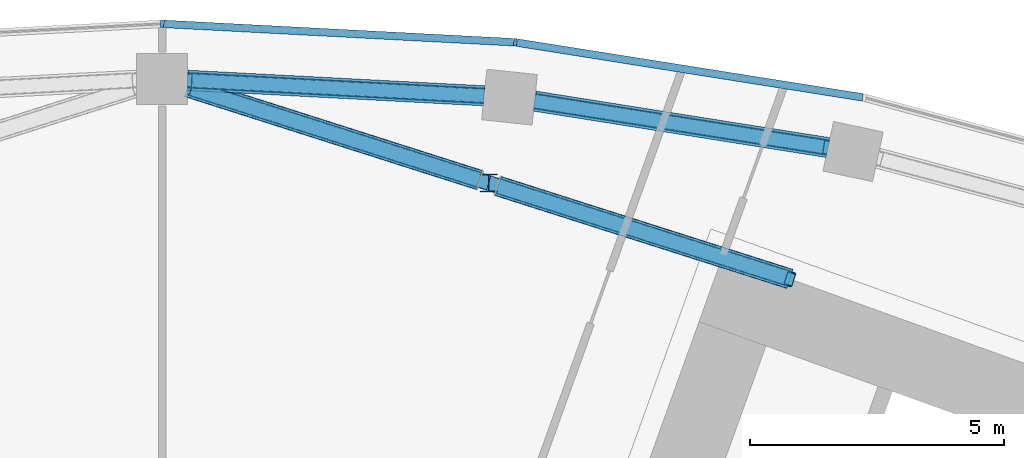
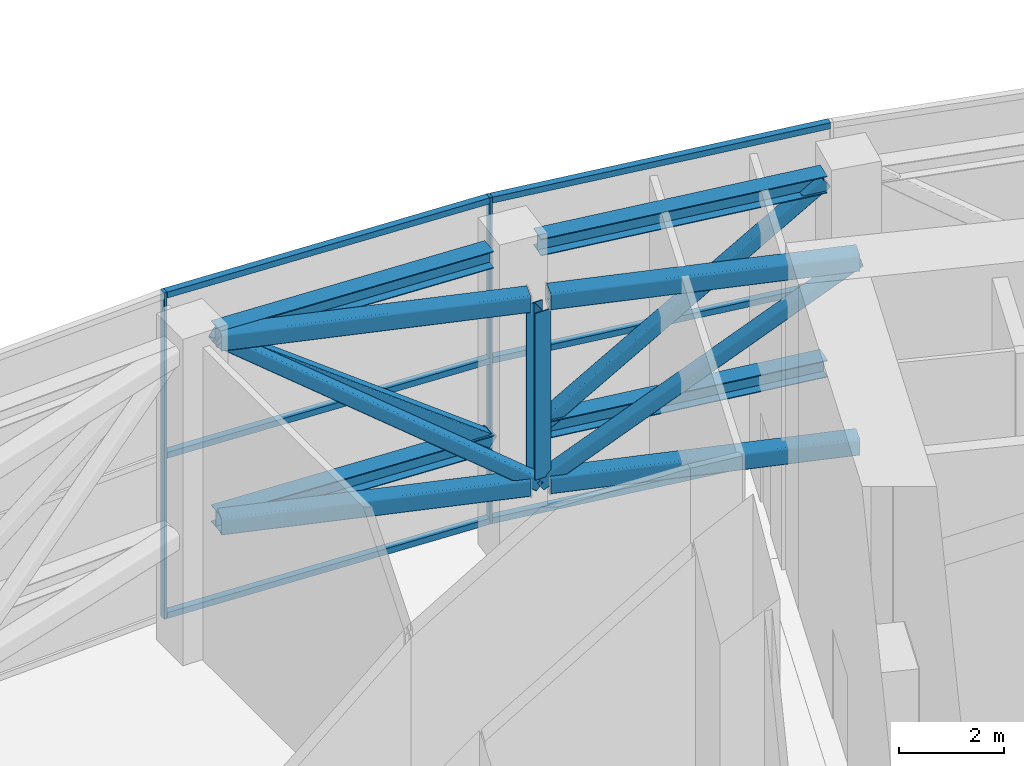
# One storey, part 8 of 32: 21 members, 1 element without a shape of its own.
"""IFC4 building model written with IfcOpenShell, lengths in metres."""

from ifc_helpers import new_model, si_unit, direction, frame, origin, origin_2d, place, context, subcontext, project, spatial, rectangle, hollow_rectangle, i_section, extrude, material, layer, layer_set, material_profile, profile_set, type_object, element, aggregate, save


model = new_model("IFC4")

# Units and contexts
model_context = context("Model", 3, precision=1e-05, world=origin(), true_north=direction((0.0, 1.0)))
body_context = subcontext(model_context, "Body", "Model", "MODEL_VIEW")
ifc_project = project(units=[si_unit("LENGTHUNIT", "METRE"), si_unit("AREAUNIT", "SQUARE_METRE"), si_unit("VOLUMEUNIT", "CUBIC_METRE"), si_unit("PLANEANGLEUNIT", "RADIAN"), si_unit("MASSUNIT", "GRAM", prefix="KILO")], contexts=[model_context])

# Site, building, storey
site_placement = place(None, origin())
site = spatial("IfcSite", under=ifc_project, at=site_placement, CompositionType="ELEMENT")
building_placement = place(site_placement, origin())
building = spatial("IfcBuilding", under=site, at=building_placement, Name="Stone Belt Terrace Tower", CompositionType="ELEMENT")
storey_placement = place(building_placement, frame((0.0, 0.0, 193.39990234375)))
storey = spatial("IfcBuildingStorey", under=building, at=storey_placement, Name="L47", CompositionType="ELEMENT", Elevation=193.39990234375)

# Members
ifc_material_1 = material(Name="Structural steel C345", Category="steel")
ifc_material_profile_1 = material_profile(ifc_material_1, i_section(OverallWidth=0.39794921875, OverallDepth=0.39404296875, WebThickness=0.010986328125, FlangeThickness=0.01806640625, at=origin_2d()), Name="I 40K1")
ifc_profile_set_1 = profile_set([ifc_material_profile_1], Name="Structural steel C345")
member_type_1 = type_object("IfcMemberType", Name="Belt chord I 40K1", PredefinedType="CHORD", material=ifc_profile_set_1)
for number, where, z_axis, x_axis, name in (
    (1, (0.5, 65.462646484375, 7.0830078125), (0.998629097568, -0.0523442976, 0.0), (0.0523442976, 0.998629097568, 0.0), "Belt truss T3 ring R top chord 9"),
    (2, (0.5, 65.462646484375, 2.797119140625), (0.998629097568, -0.0523442976, 0.0), (0.0523442976, 0.998629097568, 0.0), "Belt truss T3 ring R bot chord 9"),
):
    element("IfcMember", number, at=place(storey_placement, frame(where, z_axis=z_axis, x_axis=x_axis)), inside=storey, type_object=member_type_1, Name=name, PredefinedType="CHORD", context=body_context, shape_type="SweptSolid", body=[
        extrude(i_section(OverallWidth=0.39794921875, OverallDepth=0.39404296875, WebThickness=0.010986328125, FlangeThickness=0.01806640625, at=origin_2d()), origin(), (0.0, 0.0, 1.0), 5.853515625),
    ])
for number, where, z_axis, x_axis, name in (
    (3, (7.340087890625, 65.0517578125, 7.0830078125), (0.987685398808, -0.156453037624, 0.0), (0.156453037624, 0.987685398808, 0.0), "Belt truss T3 ring R top chord 10"),
    (4, (7.340087890625, 65.0517578125, 2.797119140625), (0.987685398808, -0.156453037624, 0.0), (0.156453037624, 0.987685398808, 0.0), "Belt truss T3 ring R bot chord 10"),
):
    element("IfcMember", number, at=place(storey_placement, frame(where, z_axis=z_axis, x_axis=x_axis)), inside=storey, type_object=member_type_1, Name=name, PredefinedType="CHORD", context=body_context, shape_type="SweptSolid", body=[
        extrude(i_section(OverallWidth=0.39794921875, OverallDepth=0.39404296875, WebThickness=0.010986328125, FlangeThickness=0.01806640625, at=origin_2d()), origin(), (0.0, 0.0, 1.0), 5.853271484375),
    ])
ifc_material_profile_2 = material_profile(ifc_material_1, hollow_rectangle(XDim=0.300048828125, YDim=0.300048828125, WallThickness=0.011962890625, InnerFilletRadius=0.02392578125, OuterFilletRadius=0.035888671875, at=origin_2d()), Name="SHS 300x300x12")
ifc_profile_set_2 = profile_set([ifc_material_profile_2], Name="Structural steel C345")
member_type_2 = type_object("IfcMemberType", Name="Belt diagonal SHS 300x300x12", PredefinedType="BRACE", material=ifc_profile_set_2)
member_1_placement = place(storey_placement, frame((0.5, 65.462646484375, 7.0830078125), z_axis=(0.805736841679, -0.042233627211, -0.590765996562), x_axis=(0.0523442976, 0.998629097568, 0.0)))
element("IfcMember", 5, at=member_1_placement, inside=storey, type_object=member_type_2, Name="Belt truss T3 ring R diagonal 9", PredefinedType="BRACE", context=body_context, shape_type="SweptSolid", body=[
    extrude(hollow_rectangle(XDim=0.300048828125, YDim=0.300048828125, WallThickness=0.011962890625, InnerFilletRadius=0.02392578125, OuterFilletRadius=0.035888671875, at=origin_2d()), origin(), (0.0, 0.0, 1.0), 7.2548828125),
])
member_2_placement = place(storey_placement, frame((7.340087890625, 65.0517578125, 2.797119140625), z_axis=(0.79689976859, -0.126231884797, 0.590775989764), x_axis=(0.156453037624, 0.987685398808, 0.0)))
element("IfcMember", 6, at=member_2_placement, inside=storey, type_object=member_type_2, Name="Belt truss T3 ring R diagonal 10", PredefinedType="BRACE", context=body_context, shape_type="SweptSolid", body=[
    extrude(hollow_rectangle(XDim=0.300048828125, YDim=0.300048828125, WallThickness=0.011962890625, InnerFilletRadius=0.02392578125, OuterFilletRadius=0.035888671875, at=origin_2d()), origin(), (0.0, 0.0, 1.0), 7.254638671875),
])

# Curtain wall, members
ifc_material_2 = material(Name="Aluminium 6063-T6 anodised frame", Category="aluminium")
ifc_layer = layer(ifc_material_2, 0.14990234375)
ifc_layer_set = layer_set([ifc_layer], Name="CW-A unitised convex-face curtain wall")
curtain_wall_type = type_object("IfcCurtainWallType", Name="CW-A unitised convex-face curtain wall", PredefinedType="NOTDEFINED", material=ifc_layer_set)
curtain_wall_placement = place(storey_placement, origin())
curtain_wall = element("IfcCurtainWall", 7, at=curtain_wall_placement, inside=storey, type_object=curtain_wall_type, Name="CW-A convex face L47", PredefinedType="NOTDEFINED")
ifc_material_profile_3 = material_profile(ifc_material_2, rectangle(XDim=0.14990234375, YDim=0.06005859375, at=origin_2d()), Name="Aluminium 6063-T6 60x150")
ifc_profile_set_3 = profile_set([ifc_material_profile_3], Name="Aluminium 6063-T6 anodised frame")
member_type_3 = type_object("IfcMemberType", Name="CW-A mullion 60 x 150", PredefinedType="MULLION", material=ifc_profile_set_3)
member_3_placement = place(storey_placement, frame((6.958984375, 66.21044921875, 0.0), z_axis=(0.0, 0.0, 1.0), x_axis=(-0.104528463268, -0.994521895368, 0.0)))
member_3 = element("IfcMember", 8, at=member_3_placement, type_object=member_type_3, Name="CW-A mullion 8", PredefinedType="MULLION", context=body_context, shape_type="SweptSolid", body=[
    extrude(rectangle(XDim=0.14990234375, YDim=0.06005859375, at=origin_2d()), origin(), (0.0, 0.0, 1.0), 7.60009765625),
])
member_4_placement = place(storey_placement, frame((0.0, 66.5751953125, 0.0), z_axis=(0.0, 0.0, 1.0), x_axis=(0.0, -1.0, 0.0)))
member_4 = element("IfcMember", 9, at=member_4_placement, type_object=member_type_3, Name="CW-A mullion 9", PredefinedType="MULLION", context=body_context, shape_type="SweptSolid", body=[
    extrude(rectangle(XDim=0.14990234375, YDim=0.06005859375, at=origin_2d()), origin(), (0.0, 0.0, 1.0), 7.60009765625),
])
ifc_material_profile_4 = material_profile(ifc_material_2, rectangle(XDim=0.14990234375, YDim=0.139892578125, at=origin_2d()), Name="Aluminium 6063-T6 150x140")
ifc_profile_set_4 = profile_set([ifc_material_profile_4], Name="Aluminium 6063-T6 anodised frame")
member_type_4 = type_object("IfcMemberType", Name="CW-A transom 140 x 150", PredefinedType="USERDEFINED", material=ifc_profile_set_4)
member_5_placement = place(storey_placement, frame((13.808349609375, 65.12548828125, 0.070068359375), z_axis=(-0.987687120531, 0.156442168027, 0.0), x_axis=(-0.156442168027, -0.987687120531, 0.0)))
member_5 = element("IfcMember", 10, at=member_5_placement, type_object=member_type_4, Name="CW-A transom 7.1", ObjectType="TRANSOM", PredefinedType="USERDEFINED", context=body_context, shape_type="SweptSolid", body=[
    extrude(rectangle(XDim=0.14990234375, YDim=0.139892578125, at=origin_2d()), origin(), (0.0, 0.0, 1.0), 6.90087890625),
])
member_6_placement = place(storey_placement, frame((13.808349609375, 65.12548828125, 3.800048828125), z_axis=(-0.987687120531, 0.156442168027, 0.0), x_axis=(-0.156442168027, -0.987687120531, 0.0)))
member_6 = element("IfcMember", 11, at=member_6_placement, type_object=member_type_4, Name="CW-A transom 7.2", ObjectType="TRANSOM", PredefinedType="USERDEFINED", context=body_context, shape_type="SweptSolid", body=[
    extrude(rectangle(XDim=0.14990234375, YDim=0.139892578125, at=origin_2d()), origin(), (0.0, 0.0, 1.0), 6.90087890625),
])
member_7_placement = place(storey_placement, frame((13.808349609375, 65.12548828125, 7.530029296875), z_axis=(-0.987687120531, 0.156442168027, 0.0), x_axis=(-0.156442168027, -0.987687120531, 0.0)))
member_7 = element("IfcMember", 12, at=member_7_placement, type_object=member_type_4, Name="CW-A transom 7.3", ObjectType="TRANSOM", PredefinedType="USERDEFINED", context=body_context, shape_type="SweptSolid", body=[
    extrude(rectangle(XDim=0.14990234375, YDim=0.139892578125, at=origin_2d()), origin(), (0.0, 0.0, 1.0), 6.90087890625),
])
member_8_placement = place(storey_placement, frame((6.925048828125, 66.212158203125, 0.070068359375), z_axis=(-0.998630019135, 0.052326712899, 0.0), x_axis=(-0.052326712899, -0.998630019135, 0.0)))
member_8 = element("IfcMember", 13, at=member_8_placement, type_object=member_type_4, Name="CW-A transom 8.1", ObjectType="TRANSOM", PredefinedType="USERDEFINED", context=body_context, shape_type="SweptSolid", body=[
    extrude(rectangle(XDim=0.14990234375, YDim=0.139892578125, at=origin_2d()), origin(), (0.0, 0.0, 1.0), 6.900634765625),
])
member_9_placement = place(storey_placement, frame((6.925048828125, 66.212158203125, 3.800048828125), z_axis=(-0.998630019135, 0.052326712899, 0.0), x_axis=(-0.052326712899, -0.998630019135, 0.0)))
member_9 = element("IfcMember", 14, at=member_9_placement, type_object=member_type_4, Name="CW-A transom 8.2", ObjectType="TRANSOM", PredefinedType="USERDEFINED", context=body_context, shape_type="SweptSolid", body=[
    extrude(rectangle(XDim=0.14990234375, YDim=0.139892578125, at=origin_2d()), origin(), (0.0, 0.0, 1.0), 6.900634765625),
])
member_10_placement = place(storey_placement, frame((6.925048828125, 66.212158203125, 7.530029296875), z_axis=(-0.998630019135, 0.052326712899, 0.0), x_axis=(-0.052326712899, -0.998630019135, 0.0)))
member_10 = element("IfcMember", 15, at=member_10_placement, type_object=member_type_4, Name="CW-A transom 8.3", ObjectType="TRANSOM", PredefinedType="USERDEFINED", context=body_context, shape_type="SweptSolid", body=[
    extrude(rectangle(XDim=0.14990234375, YDim=0.139892578125, at=origin_2d()), origin(), (0.0, 0.0, 1.0), 6.900634765625),
])
aggregate(curtain_wall, [member_3, member_4, member_5, member_6, member_7, member_8, member_9, member_10])

# Members
ifc_material_profile_5 = material_profile(ifc_material_1, hollow_rectangle(XDim=0.39990234375, YDim=0.39990234375, WallThickness=0.01611328125, InnerFilletRadius=0.031982421875, OuterFilletRadius=0.048095703125, at=origin_2d()), Name="SHS 400x400x16")
ifc_profile_set_5 = profile_set([ifc_material_profile_5], Name="Structural steel C345")
member_type_5 = type_object("IfcMemberType", Name="Outrigger chord SHS 400x400x16", PredefinedType="CHORD", material=ifc_profile_set_5)
for number, where, z_axis, x_axis, name in (
    (16, (0.5, 65.32958984375, 7.080078125), (0.95279871986, -0.303602699977, 0.0), (0.303602699977, 0.95279871986, 0.0), "Outrigger T3 coreB-mid-R top chord 1"),
    (17, (0.5, 65.32958984375, 2.800048828125), (0.95279871986, -0.303602699977, 0.0), (0.303602699977, 0.95279871986, 0.0), "Outrigger T3 coreB-mid-R bot chord 1"),
    (18, (6.621826171875, 63.37890625, 7.080078125), (0.95279871986, -0.303602699977, 0.0), (0.303602699977, 0.95279871986, 0.0), "Outrigger T3 coreB-mid-R top chord 2"),
    (19, (6.621826171875, 63.37890625, 2.800048828125), (0.95279871986, -0.303602699977, 0.0), (0.303602699977, 0.95279871986, 0.0), "Outrigger T3 coreB-mid-R bot chord 2"),
):
    element("IfcMember", number, at=place(storey_placement, frame(where, z_axis=z_axis, x_axis=x_axis)), inside=storey, type_object=member_type_5, Name=name, PredefinedType="CHORD", context=body_context, shape_type="SweptSolid", body=[
        extrude(hollow_rectangle(XDim=0.39990234375, YDim=0.39990234375, WallThickness=0.01611328125, InnerFilletRadius=0.031982421875, OuterFilletRadius=0.048095703125, at=origin_2d()), origin(), (0.0, 0.0, 1.0), 6.03515625),
    ])
ifc_material_profile_6 = material_profile(ifc_material_1, hollow_rectangle(XDim=0.300048828125, YDim=0.300048828125, WallThickness=0.01611328125, InnerFilletRadius=0.031982421875, OuterFilletRadius=0.048095703125, at=origin_2d()), Name="SHS 300x300x16")
ifc_profile_set_6 = profile_set([ifc_material_profile_6], Name="Structural steel C345")
member_type_6 = type_object("IfcMemberType", Name="Outrigger diagonal SHS 300x300x16", PredefinedType="BRACE", material=ifc_profile_set_6)
for number, where, z_axis, x_axis, name in (
    (20, (0.5, 65.32958984375, 7.080078125), (0.785329173986, -0.250256249076, -0.566241907919), (0.303620936752, 0.952792908646, 0.0), "Outrigger T3 coreB-mid-R diagonal 1"),
    (21, (6.43603515625, 63.43798828125, 2.800048828125), (0.785335521581, -0.250225972102, 0.566246484694), (0.30358536159, 0.952804244443, 0.0), "Outrigger T3 coreB-mid-R diagonal 2"),
):
    element("IfcMember", number, at=place(storey_placement, frame(where, z_axis=z_axis, x_axis=x_axis)), inside=storey, type_object=member_type_6, Name=name, PredefinedType="BRACE", context=body_context, shape_type="SweptSolid", body=[
        extrude(hollow_rectangle(XDim=0.300048828125, YDim=0.300048828125, WallThickness=0.01611328125, InnerFilletRadius=0.031982421875, OuterFilletRadius=0.048095703125, at=origin_2d()), origin(), (0.0, 0.0, 1.0), 7.55859375),
    ])
ifc_material_profile_7 = material_profile(ifc_material_1, i_section(OverallWidth=0.35009765625, OverallDepth=0.35009765625, WebThickness=0.011962890625, FlangeThickness=0.01904296875, at=origin_2d()), Name="I 35K2")
ifc_profile_set_7 = profile_set([ifc_material_profile_7], Name="Structural steel C345")
member_type_7 = type_object("IfcMemberType", Name="Outrigger post I 35K2", PredefinedType="POST", material=ifc_profile_set_7)
member_11_placement = place(storey_placement, frame((6.43603515625, 63.43798828125, 3.0), z_axis=(0.0, 0.0, 1.0), x_axis=(1.0, 0.0, 0.0)))
element("IfcMember", 22, at=member_11_placement, inside=storey, type_object=member_type_7, Name="Outrigger T3 coreB-mid-R post 1", PredefinedType="POST", context=body_context, shape_type="SweptSolid", body=[
    extrude(i_section(OverallWidth=0.35009765625, OverallDepth=0.35009765625, WebThickness=0.011962890625, FlangeThickness=0.01904296875, at=origin_2d()), origin(), (0.0, 0.0, 1.0), 3.880126953125),
])

save(model, "model.ifc")
